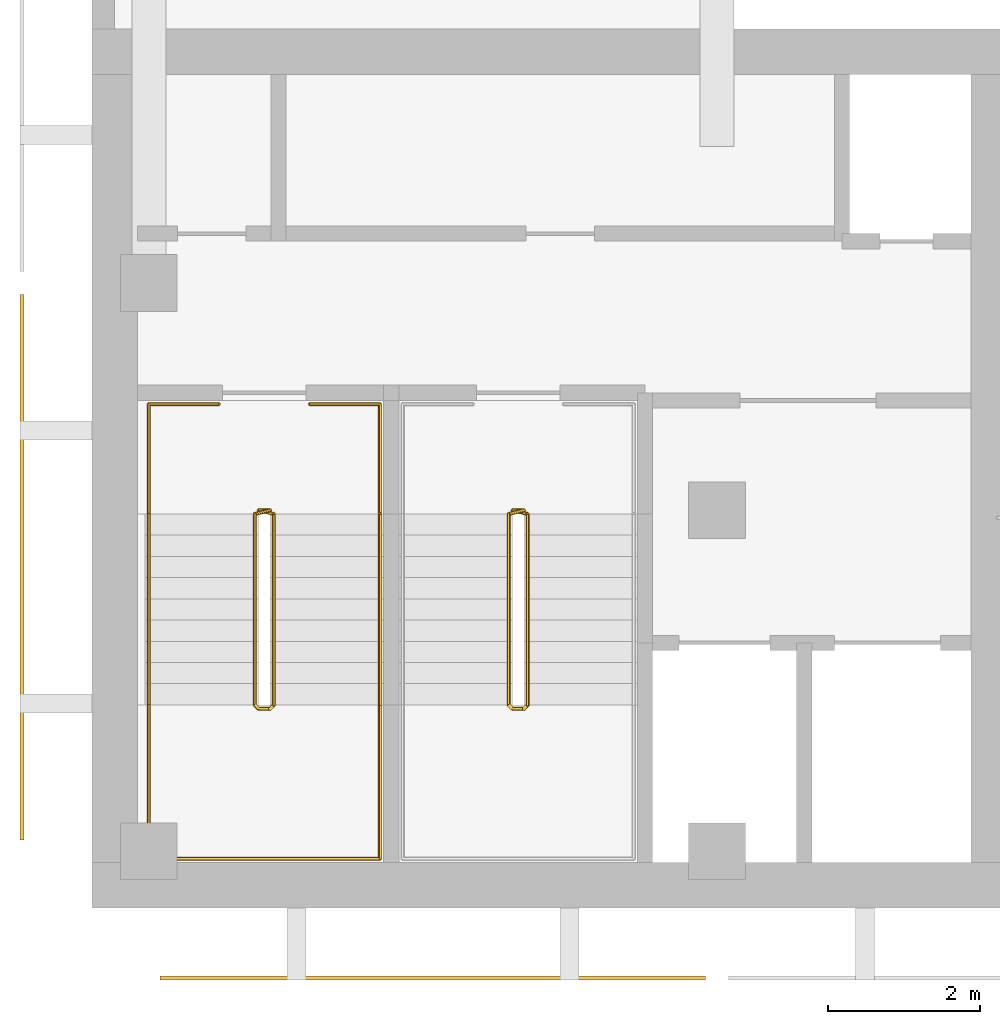
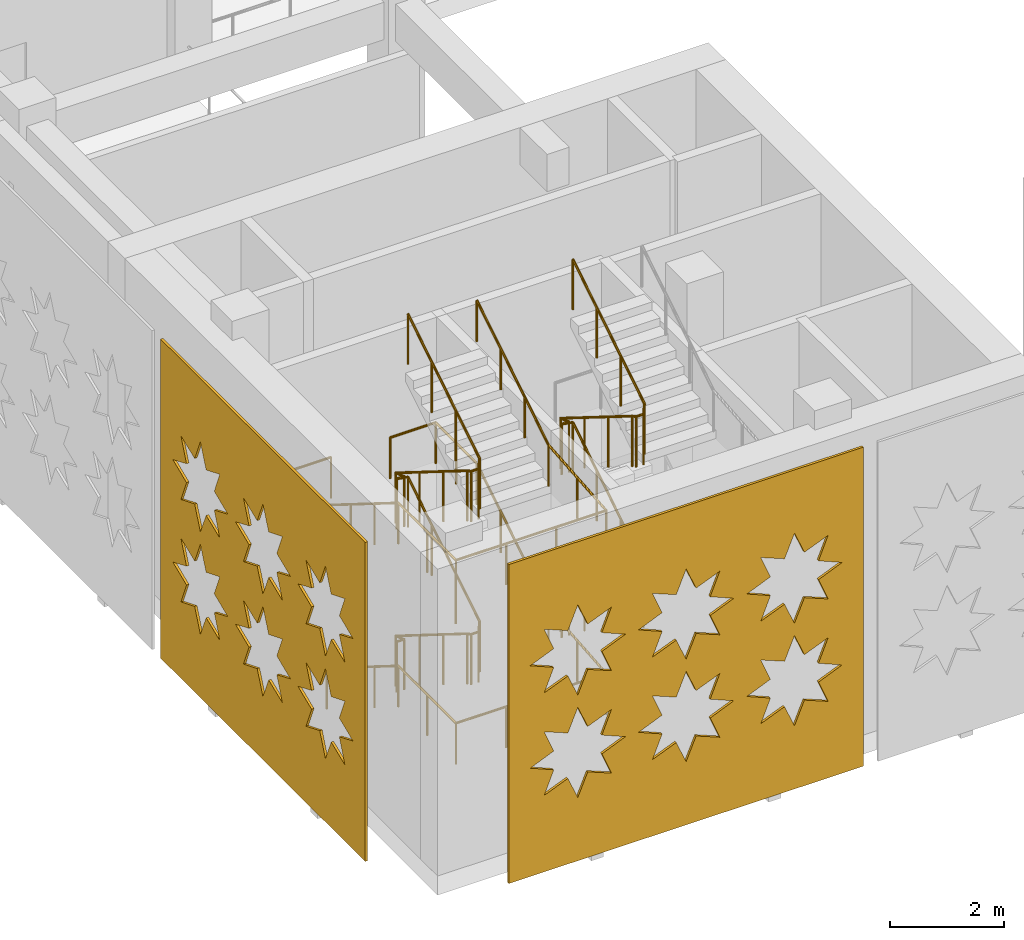
# One storey, part 29 of 42: 4 railings, 2 coverings.
"""IFC4 building model written with IfcOpenShell, lengths in metres."""

from ifc_helpers import new_model, si_unit, direction, frame, origin, origin_2d, place, context, subcontext, project, spatial, polyline, circle, outline, extrude, material, layer, layer_set, type_object, element, save


model = new_model("IFC4")

# Units and contexts
model_context = context("Model", 3, precision=1e-05, world=origin(), true_north=direction((0.0, 1.0)))
body_context = subcontext(model_context, "Body", "Model", "MODEL_VIEW")
ifc_project = project(units=[si_unit("LENGTHUNIT", "METRE"), si_unit("AREAUNIT", "SQUARE_METRE"), si_unit("VOLUMEUNIT", "CUBIC_METRE"), si_unit("PLANEANGLEUNIT", "RADIAN"), si_unit("MASSUNIT", "GRAM", prefix="KILO")], contexts=[model_context])

# Site, building, storey
site_placement = place(None, origin())
site = spatial("IfcSite", under=ifc_project, at=site_placement, CompositionType="ELEMENT")
building_placement = place(site_placement, origin())
building = spatial("IfcBuilding", under=site, at=building_placement, Name="Tessera Arch", CompositionType="ELEMENT")
storey_placement = place(building_placement, frame((0.0, 0.0, 14.0)))
storey = spatial("IfcBuildingStorey", under=building, at=storey_placement, Name="L02", CompositionType="ELEMENT", Elevation=14.0)

# Coverings
ifc_material_1 = material(Name="Anodised aluminium pale metal", Category="aluminium")
ifc_layer = layer(ifc_material_1, 0.050048828125)
ifc_layer_set = layer_set([ifc_layer], Name="Museum lattice skin panel")
covering_type = type_object("IfcCoveringType", Name="Museum lattice skin panel", PredefinedType="CLADDING", material=ifc_layer_set)
covering_1_placement = place(storey_placement, frame((-31.64990234375, -33.449951171875, 6.949951171875), z_axis=(0.0, 1.0, 0.0), x_axis=(1.0, 0.0, 0.0)))
element("IfcCovering", 1, at=covering_1_placement, inside=storey, type_object=covering_type, Name="Museum lattice skin L02 1-2", PredefinedType="CLADDING", context=body_context, shape_type="SweptSolid", body=[
    extrude(outline(polyline([(0.0, 0.0), (7.199951171875, 0.0), (7.199951171875, 6.849853515625), (0.0, 6.849853515625), (0.0, 0.0)]), holes=[polyline([(2.367919921875, 4.52490234375), (1.887939453125, 4.322998046875), (2.083984375, 3.841064453125), (1.601806640625, 4.036865234375), (1.39990234375, 3.556884765625), (1.197998046875, 4.036865234375), (0.7158203125, 3.841064453125), (0.911865234375, 4.322998046875), (0.431884765625, 4.52490234375), (0.911865234375, 4.72705078125), (0.7158203125, 5.208984375), (1.197998046875, 5.012939453125), (1.39990234375, 5.492919921875), (1.601806640625, 5.012939453125), (2.083984375, 5.208984375), (1.887939453125, 4.72705078125), (2.367919921875, 4.52490234375)]), polyline([(2.367919921875, 2.324951171875), (1.887939453125, 2.123046875), (2.083984375, 1.640869140625), (1.601806640625, 1.8369140625), (1.39990234375, 1.35693359375), (1.197998046875, 1.8369140625), (0.7158203125, 1.640869140625), (0.911865234375, 2.123046875), (0.431884765625, 2.324951171875), (0.911865234375, 2.52685546875), (0.7158203125, 3.009033203125), (1.197998046875, 2.81298828125), (1.39990234375, 3.29296875), (1.601806640625, 2.81298828125), (2.083984375, 3.009033203125), (1.887939453125, 2.52685546875), (2.367919921875, 2.324951171875)]), polyline([(4.56787109375, 4.52490234375), (4.087890625, 4.322998046875), (4.283935546875, 3.841064453125), (3.802001953125, 4.036865234375), (3.599853515625, 3.556884765625), (3.39794921875, 4.036865234375), (2.916015625, 3.841064453125), (3.11181640625, 4.322998046875), (2.6318359375, 4.52490234375), (3.11181640625, 4.72705078125), (2.916015625, 5.208984375), (3.39794921875, 5.012939453125), (3.599853515625, 5.492919921875), (3.802001953125, 5.012939453125), (4.283935546875, 5.208984375), (4.087890625, 4.72705078125), (4.56787109375, 4.52490234375)]), polyline([(4.56787109375, 2.324951171875), (4.087890625, 2.123046875), (4.283935546875, 1.640869140625), (3.802001953125, 1.8369140625), (3.599853515625, 1.35693359375), (3.39794921875, 1.8369140625), (2.916015625, 1.640869140625), (3.11181640625, 2.123046875), (2.6318359375, 2.324951171875), (3.11181640625, 2.52685546875), (2.916015625, 3.009033203125), (3.39794921875, 2.81298828125), (3.599853515625, 3.29296875), (3.802001953125, 2.81298828125), (4.283935546875, 3.009033203125), (4.087890625, 2.52685546875), (4.56787109375, 2.324951171875)]), polyline([(6.767822265625, 4.52490234375), (6.287841796875, 4.322998046875), (6.48388671875, 3.841064453125), (6.001953125, 4.036865234375), (5.7998046875, 3.556884765625), (5.597900390625, 4.036865234375), (5.115966796875, 3.841064453125), (5.31201171875, 4.322998046875), (4.831787109375, 4.52490234375), (5.31201171875, 4.72705078125), (5.115966796875, 5.208984375), (5.597900390625, 5.012939453125), (5.7998046875, 5.492919921875), (6.001953125, 5.012939453125), (6.48388671875, 5.208984375), (6.287841796875, 4.72705078125), (6.767822265625, 4.52490234375)]), polyline([(6.767822265625, 2.324951171875), (6.287841796875, 2.123046875), (6.48388671875, 1.640869140625), (6.001953125, 1.8369140625), (5.7998046875, 1.35693359375), (5.597900390625, 1.8369140625), (5.115966796875, 1.640869140625), (5.31201171875, 2.123046875), (4.831787109375, 2.324951171875), (5.31201171875, 2.52685546875), (5.115966796875, 3.009033203125), (5.597900390625, 2.81298828125), (5.7998046875, 3.29296875), (6.001953125, 2.81298828125), (6.48388671875, 3.009033203125), (6.287841796875, 2.52685546875), (6.767822265625, 2.324951171875)])]), origin(), (0.0, 0.0, -1.0), 0.050048828125),
])
covering_2_placement = place(storey_placement, frame((-33.449951171875, -24.449951171875, 6.949951171875), z_axis=(1.0, 0.0, 0.0), x_axis=(0.0, -1.0, 0.0)))
element("IfcCovering", 2, at=covering_2_placement, inside=storey, type_object=covering_type, Name="Museum lattice skin L02 6-13", PredefinedType="CLADDING", context=body_context, shape_type="SweptSolid", body=[
    extrude(outline(polyline([(0.0, 0.0), (7.199951171875, 0.0), (7.199951171875, 6.849853515625), (0.0, 6.849853515625), (0.0, 0.0)]), holes=[polyline([(2.3681640625, 4.52490234375), (1.887939453125, 4.322998046875), (2.083984375, 3.841064453125), (1.60205078125, 4.036865234375), (1.400146484375, 3.556884765625), (1.197998046875, 4.036865234375), (0.716064453125, 3.841064453125), (0.912109375, 4.322998046875), (0.43212890625, 4.52490234375), (0.912109375, 4.72705078125), (0.716064453125, 5.208984375), (1.197998046875, 5.012939453125), (1.400146484375, 5.492919921875), (1.60205078125, 5.012939453125), (2.083984375, 5.208984375), (1.887939453125, 4.72705078125), (2.3681640625, 4.52490234375)]), polyline([(2.3681640625, 2.324951171875), (1.887939453125, 2.123046875), (2.083984375, 1.640869140625), (1.60205078125, 1.8369140625), (1.400146484375, 1.35693359375), (1.197998046875, 1.8369140625), (0.716064453125, 1.640869140625), (0.912109375, 2.123046875), (0.43212890625, 2.324951171875), (0.912109375, 2.52685546875), (0.716064453125, 3.009033203125), (1.197998046875, 2.81298828125), (1.400146484375, 3.29296875), (1.60205078125, 2.81298828125), (2.083984375, 3.009033203125), (1.887939453125, 2.52685546875), (2.3681640625, 2.324951171875)]), polyline([(4.568115234375, 4.52490234375), (4.088134765625, 4.322998046875), (4.283935546875, 3.841064453125), (3.802001953125, 4.036865234375), (3.60009765625, 3.556884765625), (3.39794921875, 4.036865234375), (2.916015625, 3.841064453125), (3.112060546875, 4.322998046875), (2.632080078125, 4.52490234375), (3.112060546875, 4.72705078125), (2.916015625, 5.208984375), (3.39794921875, 5.012939453125), (3.60009765625, 5.492919921875), (3.802001953125, 5.012939453125), (4.283935546875, 5.208984375), (4.088134765625, 4.72705078125), (4.568115234375, 4.52490234375)]), polyline([(4.568115234375, 2.324951171875), (4.088134765625, 2.123046875), (4.283935546875, 1.640869140625), (3.802001953125, 1.8369140625), (3.60009765625, 1.35693359375), (3.39794921875, 1.8369140625), (2.916015625, 1.640869140625), (3.112060546875, 2.123046875), (2.632080078125, 2.324951171875), (3.112060546875, 2.52685546875), (2.916015625, 3.009033203125), (3.39794921875, 2.81298828125), (3.60009765625, 3.29296875), (3.802001953125, 2.81298828125), (4.283935546875, 3.009033203125), (4.088134765625, 2.52685546875), (4.568115234375, 2.324951171875)]), polyline([(6.76806640625, 4.52490234375), (6.2880859375, 4.322998046875), (6.484130859375, 3.841064453125), (6.001953125, 4.036865234375), (5.800048828125, 3.556884765625), (5.59814453125, 4.036865234375), (5.115966796875, 3.841064453125), (5.31201171875, 4.322998046875), (4.83203125, 4.52490234375), (5.31201171875, 4.72705078125), (5.115966796875, 5.208984375), (5.59814453125, 5.012939453125), (5.800048828125, 5.492919921875), (6.001953125, 5.012939453125), (6.484130859375, 5.208984375), (6.2880859375, 4.72705078125), (6.76806640625, 4.52490234375)]), polyline([(6.76806640625, 2.324951171875), (6.2880859375, 2.123046875), (6.484130859375, 1.640869140625), (6.001953125, 1.8369140625), (5.800048828125, 1.35693359375), (5.59814453125, 1.8369140625), (5.115966796875, 1.640869140625), (5.31201171875, 2.123046875), (4.83203125, 2.324951171875), (5.31201171875, 2.52685546875), (5.115966796875, 3.009033203125), (5.59814453125, 2.81298828125), (5.800048828125, 3.29296875), (6.001953125, 2.81298828125), (6.484130859375, 3.009033203125), (6.2880859375, 2.52685546875), (6.76806640625, 2.324951171875)])]), origin(), (0.0, 0.0, -1.0), 0.050048828125),
])

# Railings
ifc_material_2 = material(Name="Painted steel balustrade", Category="steel")
railing_type_1 = type_object("IfcRailingType", Name="Stair guard 1100", PredefinedType="GUARDRAIL", material=ifc_material_2)
railing_1_placement = place(storey_placement, frame((-30.35009765625, -27.300048828125, 0.0)))
element("IfcRailing", 3, at=railing_1_placement, inside=storey, type_object=railing_type_1, Name="L02 M2a stair guard 1", PredefinedType="GUARDRAIL", context=body_context, shape_type="SweptSolid", body=[
    extrude(circle(Radius=0.02392578125, at=origin_2d()), frame((-0.00390625, 0.0, 1.076171875), z_axis=(1.0, 0.0, 0.0), x_axis=(0.0, 1.0, 0.0)), (0.0, 0.0, 1.0), 0.158203125),
    extrude(circle(Radius=0.02392578125, at=origin_2d()), frame((0.153076171875, 0.000732421875, 1.073486328125), z_axis=(-0.739407315901, -0.185077533284, 0.647319957877), x_axis=(0.242814311512, -0.970072785993, 0.0)), (0.0, 0.0, 1.0), 0.2783203125),
    extrude(circle(Radius=0.02392578125, at=origin_2d()), frame((-0.0498046875, -0.046630859375, 1.2490234375), z_axis=(0.0, -0.848007534815, 0.529984170421), x_axis=(1.0, 0.0, 0.0)), (0.0, 0.0, 1.0), 2.979736328125),
    extrude(circle(Radius=0.02392578125, at=origin_2d()), frame((-0.052734375, -2.567138671875, 2.826171875), z_axis=(0.707106781187, -0.707106781187, 0.0), x_axis=(0.707106781187, 0.707106781187, 0.0)), (0.0, 0.0, 1.0), 0.078369140625),
    extrude(circle(Radius=0.02392578125, at=origin_2d()), frame((-0.00390625, -2.619873046875, 2.826171875), z_axis=(1.0, 0.0, 0.0), x_axis=(0.0, 1.0, 0.0)), (0.0, 0.0, 1.0), 0.158203125),
    extrude(circle(Radius=0.02392578125, at=origin_2d()), frame((0.149169921875, -2.620849609375, 2.822265625), z_axis=(0.265155923931, 0.263862480399, 0.927399011991), x_axis=(-0.705375805398, 0.708833529934, 0.0)), (0.0, 0.0, 1.0), 0.19677734375),
    extrude(circle(Radius=0.02392578125, at=origin_2d()), frame((0.2001953125, -2.573486328125, 2.9990234375), z_axis=(0.0, 0.848007534815, 0.529984170421), x_axis=(-1.0, 0.0, 0.0)), (0.0, 0.0, 1.0), 2.979736328125),
    extrude(circle(Radius=0.02392578125, at=origin_2d()), frame((0.2041015625, -0.051025390625, 4.576171875), z_axis=(-0.970142500145, 0.242535625036, 0.0), x_axis=(-0.242535625036, -0.970142500145, 0.0)), (0.0, 0.0, 1.0), 0.21435546875),
    extrude(circle(Radius=0.02392578125, at=origin_2d()), frame((-0.00390625, 0.0, 4.576171875), z_axis=(1.0, 0.0, 0.0), x_axis=(0.0, 1.0, 0.0)), (0.0, 0.0, 1.0), 0.158203125),
    extrude(circle(Radius=0.02392578125, at=origin_2d()), frame((0.153076171875, 0.000732421875, 4.573486328125), z_axis=(-0.739407315901, -0.185077533284, 0.647319957877), x_axis=(0.242814311512, -0.970072785993, 0.0)), (0.0, 0.0, 1.0), 0.2783203125),
    extrude(circle(Radius=0.02392578125, at=origin_2d()), frame((-0.0498046875, -0.046630859375, 4.7490234375), z_axis=(0.0, -0.848007534815, 0.529984170421), x_axis=(1.0, 0.0, 0.0)), (0.0, 0.0, 1.0), 2.979736328125),
    extrude(circle(Radius=0.02392578125, at=origin_2d()), frame((-0.052734375, -2.567138671875, 6.326171875), z_axis=(0.707106781187, -0.707106781187, 0.0), x_axis=(0.707106781187, 0.707106781187, 0.0)), (0.0, 0.0, 1.0), 0.078369140625),
    extrude(circle(Radius=0.02392578125, at=origin_2d()), frame((-0.00390625, -2.619873046875, 6.326171875), z_axis=(1.0, 0.0, 0.0), x_axis=(0.0, 1.0, 0.0)), (0.0, 0.0, 1.0), 0.158203125),
    extrude(circle(Radius=0.02392578125, at=origin_2d()), frame((0.149169921875, -2.620849609375, 6.322265625), z_axis=(0.265155923931, 0.263862480399, 0.927399011991), x_axis=(-0.705375805398, 0.708833529934, 0.0)), (0.0, 0.0, 1.0), 0.19677734375),
    extrude(circle(Radius=0.02392578125, at=origin_2d()), frame((0.2001953125, -2.573486328125, 6.4990234375), z_axis=(0.0, 0.848007534815, 0.529984170421), x_axis=(-1.0, 0.0, 0.0)), (0.0, 0.0, 1.0), 2.979736328125),
    extrude(circle(Radius=0.02099609375, at=origin_2d()), origin(), (0.0, 0.0, 1.0), 1.06396484375),
    extrude(circle(Radius=0.02099609375, at=origin_2d()), frame((0.150146484375, 0.0, 0.0)), (0.0, 0.0, 1.0), 1.06396484375),
    extrude(circle(Radius=0.02099609375, at=origin_2d()), frame((-0.0498046875, -0.050048828125, 0.175048828125)), (0.0, 0.0, 1.0), 1.06396484375),
    extrude(circle(Radius=0.02099609375, at=origin_2d()), frame((-0.0498046875, -0.89013671875, 0.699951171875)), (0.0, 0.0, 1.0), 1.06396484375),
    extrude(circle(Radius=0.02099609375, at=origin_2d()), frame((-0.0498046875, -1.72998046875, 1.22509765625)), (0.0, 0.0, 1.0), 1.06396484375),
    extrude(circle(Radius=0.02099609375, at=origin_2d()), frame((-0.0498046875, -2.570068359375, 1.75)), (0.0, 0.0, 1.0), 1.06396484375),
    extrude(circle(Radius=0.02099609375, at=origin_2d()), frame((0.0, -2.619873046875, 1.75)), (0.0, 0.0, 1.0), 1.06396484375),
    extrude(circle(Radius=0.02099609375, at=origin_2d()), frame((0.150146484375, -2.619873046875, 1.75)), (0.0, 0.0, 1.0), 1.06396484375),
    extrude(circle(Radius=0.02099609375, at=origin_2d()), frame((0.2001953125, -2.570068359375, 1.925048828125)), (0.0, 0.0, 1.0), 1.06396484375),
    extrude(circle(Radius=0.02099609375, at=origin_2d()), frame((0.2001953125, -1.72998046875, 2.449951171875)), (0.0, 0.0, 1.0), 1.06396484375),
    extrude(circle(Radius=0.02099609375, at=origin_2d()), frame((0.2001953125, -0.89013671875, 2.97509765625)), (0.0, 0.0, 1.0), 1.06396484375),
    extrude(circle(Radius=0.02099609375, at=origin_2d()), frame((0.2001953125, -0.050048828125, 3.5)), (0.0, 0.0, 1.0), 1.06396484375),
    extrude(circle(Radius=0.02099609375, at=origin_2d()), frame((0.0, 0.0, 3.5)), (0.0, 0.0, 1.0), 1.06396484375),
    extrude(circle(Radius=0.02099609375, at=origin_2d()), frame((0.150146484375, 0.0, 3.5)), (0.0, 0.0, 1.0), 1.06396484375),
    extrude(circle(Radius=0.02099609375, at=origin_2d()), frame((-0.0498046875, -0.050048828125, 3.675048828125)), (0.0, 0.0, 1.0), 1.06396484375),
    extrude(circle(Radius=0.02099609375, at=origin_2d()), frame((-0.0498046875, -0.89013671875, 4.199951171875)), (0.0, 0.0, 1.0), 1.06396484375),
    extrude(circle(Radius=0.02099609375, at=origin_2d()), frame((-0.0498046875, -1.72998046875, 4.72509765625)), (0.0, 0.0, 1.0), 1.06396484375),
    extrude(circle(Radius=0.02099609375, at=origin_2d()), frame((-0.0498046875, -2.570068359375, 5.25)), (0.0, 0.0, 1.0), 1.06396484375),
    extrude(circle(Radius=0.02099609375, at=origin_2d()), frame((0.0, -2.619873046875, 5.25)), (0.0, 0.0, 1.0), 1.06396484375),
    extrude(circle(Radius=0.02099609375, at=origin_2d()), frame((0.150146484375, -2.619873046875, 5.25)), (0.0, 0.0, 1.0), 1.06396484375),
    extrude(circle(Radius=0.02099609375, at=origin_2d()), frame((0.2001953125, -2.570068359375, 5.425048828125)), (0.0, 0.0, 1.0), 1.06396484375),
    extrude(circle(Radius=0.02099609375, at=origin_2d()), frame((0.2001953125, -1.72998046875, 5.949951171875)), (0.0, 0.0, 1.0), 1.06396484375),
    extrude(circle(Radius=0.02099609375, at=origin_2d()), frame((0.2001953125, -0.89013671875, 6.47509765625)), (0.0, 0.0, 1.0), 1.06396484375),
    extrude(circle(Radius=0.02099609375, at=origin_2d()), frame((0.2001953125, -0.050048828125, 7.0)), (0.0, 0.0, 1.0), 1.06396484375),
])
railing_2_placement = place(storey_placement, frame((-27.0, -27.300048828125, 0.0)))
element("IfcRailing", 4, at=railing_2_placement, inside=storey, type_object=railing_type_1, Name="L02 M2b stair guard 1", PredefinedType="GUARDRAIL", context=body_context, shape_type="SweptSolid", body=[
    extrude(circle(Radius=0.02392578125, at=origin_2d()), frame((-0.00390625, 0.0, 1.076171875), z_axis=(1.0, 0.0, 0.0), x_axis=(0.0, 1.0, 0.0)), (0.0, 0.0, 1.0), 0.157958984375),
    extrude(circle(Radius=0.02392578125, at=origin_2d()), frame((0.15283203125, 0.000732421875, 1.073486328125), z_axis=(-0.739407315901, -0.185077533284, 0.647319957877), x_axis=(0.242814311512, -0.970072785993, 0.0)), (0.0, 0.0, 1.0), 0.2783203125),
    extrude(circle(Radius=0.02392578125, at=origin_2d()), frame((-0.050048828125, -0.046630859375, 1.2490234375), z_axis=(0.0, -0.848007534815, 0.529984170421), x_axis=(1.0, 0.0, 0.0)), (0.0, 0.0, 1.0), 2.979736328125),
    extrude(circle(Radius=0.02392578125, at=origin_2d()), frame((-0.052978515625, -2.567138671875, 2.826171875), z_axis=(0.708833529934, -0.705375805398, 0.0), x_axis=(0.705375805398, 0.708833529934, 0.0)), (0.0, 0.0, 1.0), 0.07861328125),
    extrude(circle(Radius=0.02392578125, at=origin_2d()), frame((-0.00390625, -2.619873046875, 2.826171875), z_axis=(1.0, 0.0, 0.0), x_axis=(0.0, 1.0, 0.0)), (0.0, 0.0, 1.0), 0.157958984375),
    extrude(circle(Radius=0.02392578125, at=origin_2d()), frame((0.14892578125, -2.620849609375, 2.822265625), z_axis=(0.265155923931, 0.263862480399, 0.927399011991), x_axis=(-0.705375805398, 0.708833529934, 0.0)), (0.0, 0.0, 1.0), 0.19677734375),
    extrude(circle(Radius=0.02392578125, at=origin_2d()), frame((0.199951171875, -2.573486328125, 2.9990234375), z_axis=(0.0, 0.848007534815, 0.529984170421), x_axis=(-1.0, 0.0, 0.0)), (0.0, 0.0, 1.0), 2.979736328125),
    extrude(circle(Radius=0.02392578125, at=origin_2d()), frame((0.203857421875, -0.051025390625, 4.576171875), z_axis=(-0.970072785993, 0.242814311512, 0.0), x_axis=(-0.242814311512, -0.970072785993, 0.0)), (0.0, 0.0, 1.0), 0.214111328125),
    extrude(circle(Radius=0.02392578125, at=origin_2d()), frame((-0.00390625, 0.0, 4.576171875), z_axis=(1.0, 0.0, 0.0), x_axis=(0.0, 1.0, 0.0)), (0.0, 0.0, 1.0), 0.157958984375),
    extrude(circle(Radius=0.02392578125, at=origin_2d()), frame((0.15283203125, 0.000732421875, 4.573486328125), z_axis=(-0.739407315901, -0.185077533284, 0.647319957877), x_axis=(0.242814311512, -0.970072785993, 0.0)), (0.0, 0.0, 1.0), 0.2783203125),
    extrude(circle(Radius=0.02392578125, at=origin_2d()), frame((-0.050048828125, -0.046630859375, 4.7490234375), z_axis=(0.0, -0.848007534815, 0.529984170421), x_axis=(1.0, 0.0, 0.0)), (0.0, 0.0, 1.0), 2.979736328125),
    extrude(circle(Radius=0.02392578125, at=origin_2d()), frame((-0.052978515625, -2.567138671875, 6.326171875), z_axis=(0.708833529934, -0.705375805398, 0.0), x_axis=(0.705375805398, 0.708833529934, 0.0)), (0.0, 0.0, 1.0), 0.07861328125),
    extrude(circle(Radius=0.02392578125, at=origin_2d()), frame((-0.00390625, -2.619873046875, 6.326171875), z_axis=(1.0, 0.0, 0.0), x_axis=(0.0, 1.0, 0.0)), (0.0, 0.0, 1.0), 0.157958984375),
    extrude(circle(Radius=0.02392578125, at=origin_2d()), frame((0.14892578125, -2.620849609375, 6.322265625), z_axis=(0.265155923931, 0.263862480399, 0.927399011991), x_axis=(-0.705375805398, 0.708833529934, 0.0)), (0.0, 0.0, 1.0), 0.19677734375),
    extrude(circle(Radius=0.02392578125, at=origin_2d()), frame((0.199951171875, -2.573486328125, 6.4990234375), z_axis=(0.0, 0.848007534815, 0.529984170421), x_axis=(-1.0, 0.0, 0.0)), (0.0, 0.0, 1.0), 2.979736328125),
    extrude(circle(Radius=0.02099609375, at=origin_2d()), origin(), (0.0, 0.0, 1.0), 1.06396484375),
    extrude(circle(Radius=0.02099609375, at=origin_2d()), frame((0.14990234375, 0.0, 0.0)), (0.0, 0.0, 1.0), 1.06396484375),
    extrude(circle(Radius=0.02099609375, at=origin_2d()), frame((-0.050048828125, -0.050048828125, 0.175048828125)), (0.0, 0.0, 1.0), 1.06396484375),
    extrude(circle(Radius=0.02099609375, at=origin_2d()), frame((-0.050048828125, -0.89013671875, 0.699951171875)), (0.0, 0.0, 1.0), 1.06396484375),
    extrude(circle(Radius=0.02099609375, at=origin_2d()), frame((-0.050048828125, -1.72998046875, 1.22509765625)), (0.0, 0.0, 1.0), 1.06396484375),
    extrude(circle(Radius=0.02099609375, at=origin_2d()), frame((-0.050048828125, -2.570068359375, 1.75)), (0.0, 0.0, 1.0), 1.06396484375),
    extrude(circle(Radius=0.02099609375, at=origin_2d()), frame((0.0, -2.619873046875, 1.75)), (0.0, 0.0, 1.0), 1.06396484375),
    extrude(circle(Radius=0.02099609375, at=origin_2d()), frame((0.14990234375, -2.619873046875, 1.75)), (0.0, 0.0, 1.0), 1.06396484375),
    extrude(circle(Radius=0.02099609375, at=origin_2d()), frame((0.199951171875, -2.570068359375, 1.925048828125)), (0.0, 0.0, 1.0), 1.06396484375),
    extrude(circle(Radius=0.02099609375, at=origin_2d()), frame((0.199951171875, -1.72998046875, 2.449951171875)), (0.0, 0.0, 1.0), 1.06396484375),
    extrude(circle(Radius=0.02099609375, at=origin_2d()), frame((0.199951171875, -0.89013671875, 2.97509765625)), (0.0, 0.0, 1.0), 1.06396484375),
    extrude(circle(Radius=0.02099609375, at=origin_2d()), frame((0.199951171875, -0.050048828125, 3.5)), (0.0, 0.0, 1.0), 1.06396484375),
    extrude(circle(Radius=0.02099609375, at=origin_2d()), frame((0.0, 0.0, 3.5)), (0.0, 0.0, 1.0), 1.06396484375),
    extrude(circle(Radius=0.02099609375, at=origin_2d()), frame((0.14990234375, 0.0, 3.5)), (0.0, 0.0, 1.0), 1.06396484375),
    extrude(circle(Radius=0.02099609375, at=origin_2d()), frame((-0.050048828125, -0.050048828125, 3.675048828125)), (0.0, 0.0, 1.0), 1.06396484375),
    extrude(circle(Radius=0.02099609375, at=origin_2d()), frame((-0.050048828125, -0.89013671875, 4.199951171875)), (0.0, 0.0, 1.0), 1.06396484375),
    extrude(circle(Radius=0.02099609375, at=origin_2d()), frame((-0.050048828125, -1.72998046875, 4.72509765625)), (0.0, 0.0, 1.0), 1.06396484375),
    extrude(circle(Radius=0.02099609375, at=origin_2d()), frame((-0.050048828125, -2.570068359375, 5.25)), (0.0, 0.0, 1.0), 1.06396484375),
    extrude(circle(Radius=0.02099609375, at=origin_2d()), frame((0.0, -2.619873046875, 5.25)), (0.0, 0.0, 1.0), 1.06396484375),
    extrude(circle(Radius=0.02099609375, at=origin_2d()), frame((0.14990234375, -2.619873046875, 5.25)), (0.0, 0.0, 1.0), 1.06396484375),
    extrude(circle(Radius=0.02099609375, at=origin_2d()), frame((0.199951171875, -2.570068359375, 5.425048828125)), (0.0, 0.0, 1.0), 1.06396484375),
    extrude(circle(Radius=0.02099609375, at=origin_2d()), frame((0.199951171875, -1.72998046875, 5.949951171875)), (0.0, 0.0, 1.0), 1.06396484375),
    extrude(circle(Radius=0.02099609375, at=origin_2d()), frame((0.199951171875, -0.89013671875, 6.47509765625)), (0.0, 0.0, 1.0), 1.06396484375),
    extrude(circle(Radius=0.02099609375, at=origin_2d()), frame((0.199951171875, -0.050048828125, 7.0)), (0.0, 0.0, 1.0), 1.06396484375),
])
ifc_material_3 = material(Name="Painted steel handrail", Category="steel")
railing_type_2 = type_object("IfcRailingType", Name="Stair handrail 900", PredefinedType="HANDRAIL", material=ifc_material_3)
railing_3_placement = place(storey_placement, frame((-31.800048828125, -27.35009765625, 0.175048828125)))
element("IfcRailing", 5, at=railing_3_placement, inside=storey, type_object=railing_type_2, Name="L02 M2a stair handrail", PredefinedType="HANDRAIL", context=body_context, shape_type="SweptSolid", body=[
    extrude(circle(Radius=0.02392578125, at=origin_2d()), frame((0.0, 0.00341796875, 0.873779296875), z_axis=(0.0, -0.848007534815, 0.529984170421), x_axis=(1.0, 0.0, 0.0)), (0.0, 0.0, 1.0), 2.979736328125),
    extrude(circle(Radius=0.02392578125, at=origin_2d()), frame((0.0, -2.51611328125, 2.45068359375), z_axis=(0.0, -1.0, 0.0), x_axis=(1.0, 0.0, 0.0)), (0.0, 0.0, 1.0), 2.037841796875),
    extrude(circle(Radius=0.02392578125, at=origin_2d()), frame((-0.00390625, -4.5498046875, 2.45068359375), z_axis=(1.0, 0.0, 0.0), x_axis=(0.0, 1.0, 0.0)), (0.0, 0.0, 1.0), 3.05810546875),
    extrude(circle(Radius=0.02392578125, at=origin_2d()), frame((3.050048828125, -4.5537109375, 2.450439453125), z_axis=(0.0, 0.996301939653, 0.08592115597), x_axis=(-1.0, 0.0, 0.0)), (0.0, 0.0, 1.0), 2.04541015625),
    extrude(circle(Radius=0.02392578125, at=origin_2d()), frame((3.050048828125, -2.5234375, 2.623779296875), z_axis=(0.0, 0.848007534815, 0.529984170421), x_axis=(-1.0, 0.0, 0.0)), (0.0, 0.0, 1.0), 2.979736328125),
    extrude(circle(Radius=0.02392578125, at=origin_2d()), frame((3.050048828125, -0.00390625, 4.20068359375), z_axis=(0.0, 1.0, 0.0), x_axis=(-1.0, 0.0, 0.0)), (0.0, 0.0, 1.0), 1.458251953125),
    extrude(circle(Radius=0.02392578125, at=origin_2d()), frame((3.053955078125, 1.4501953125, 4.20068359375), z_axis=(-1.0, 0.0, 0.0), x_axis=(0.0, -1.0, 0.0)), (0.0, 0.0, 1.0), 0.93310546875),
    extrude(circle(Radius=0.02099609375, at=origin_2d()), origin(), (0.0, 0.0, 1.0), 0.86376953125),
    extrude(circle(Radius=0.02099609375, at=origin_2d()), frame((0.0, -0.840087890625, 0.52490234375)), (0.0, 0.0, 1.0), 0.86376953125),
    extrude(circle(Radius=0.02099609375, at=origin_2d()), frame((0.0, -1.679931640625, 1.050048828125)), (0.0, 0.0, 1.0), 0.86376953125),
    extrude(circle(Radius=0.02099609375, at=origin_2d()), frame((0.0, -2.52001953125, 1.574951171875)), (0.0, 0.0, 1.0), 0.86376953125),
    extrude(circle(Radius=0.02099609375, at=origin_2d()), frame((0.0, -3.534912109375, 1.574951171875)), (0.0, 0.0, 1.0), 0.86376953125),
    extrude(circle(Radius=0.02099609375, at=origin_2d()), frame((0.0, -4.5498046875, 1.574951171875)), (0.0, 0.0, 1.0), 0.86376953125),
    extrude(circle(Radius=0.02099609375, at=origin_2d()), frame((1.0166015625, -4.5498046875, 1.574951171875)), (0.0, 0.0, 1.0), 0.86376953125),
    extrude(circle(Radius=0.02099609375, at=origin_2d()), frame((2.033447265625, -4.5498046875, 1.574951171875)), (0.0, 0.0, 1.0), 0.86376953125),
    extrude(circle(Radius=0.02099609375, at=origin_2d()), frame((3.050048828125, -4.5498046875, 1.574951171875)), (0.0, 0.0, 1.0), 0.86376953125),
    extrude(circle(Radius=0.02099609375, at=origin_2d()), frame((3.050048828125, -3.534912109375, 1.66259765625)), (0.0, 0.0, 1.0), 0.86376953125),
    extrude(circle(Radius=0.02099609375, at=origin_2d()), frame((3.050048828125, -2.52001953125, 1.75)), (0.0, 0.0, 1.0), 0.86376953125),
    extrude(circle(Radius=0.02099609375, at=origin_2d()), frame((3.050048828125, -1.679931640625, 2.27490234375)), (0.0, 0.0, 1.0), 0.86376953125),
    extrude(circle(Radius=0.02099609375, at=origin_2d()), frame((3.050048828125, -0.840087890625, 2.800048828125)), (0.0, 0.0, 1.0), 0.86376953125),
    extrude(circle(Radius=0.02099609375, at=origin_2d()), frame((3.050048828125, 0.0, 3.324951171875)), (0.0, 0.0, 1.0), 0.86376953125),
    extrude(circle(Radius=0.02099609375, at=origin_2d()), frame((3.050048828125, 0.72509765625, 3.324951171875)), (0.0, 0.0, 1.0), 0.86376953125),
    extrude(circle(Radius=0.02099609375, at=origin_2d()), frame((3.050048828125, 1.4501953125, 3.324951171875)), (0.0, 0.0, 1.0), 0.86376953125),
    extrude(circle(Radius=0.02099609375, at=origin_2d()), frame((2.125, 1.4501953125, 3.324951171875)), (0.0, 0.0, 1.0), 0.86376953125),
])
railing_4_placement = place(storey_placement, frame((-30.875, -25.89990234375, 3.5)))
element("IfcRailing", 6, at=railing_4_placement, inside=storey, type_object=railing_type_2, Name="L02 M2a stair handrail 2", PredefinedType="HANDRAIL", context=body_context, shape_type="SweptSolid", body=[
    extrude(circle(Radius=0.02392578125, at=origin_2d()), frame((0.00390625, 0.0, 0.8759765625), z_axis=(-1.0, 0.0, 0.0), x_axis=(0.0, -1.0, 0.0)), (0.0, 0.0, 1.0), 0.93310546875),
    extrude(circle(Radius=0.02392578125, at=origin_2d()), frame((-0.925048828125, 0.00390625, 0.87548828125), z_axis=(0.0, -0.992793556095, 0.119837201973), x_axis=(1.0, 0.0, 0.0)), (0.0, 0.0, 1.0), 1.46875),
    extrude(circle(Radius=0.02392578125, at=origin_2d()), frame((-0.925048828125, -1.44677734375, 1.048828125), z_axis=(0.0, -0.848007534815, 0.529984170421), x_axis=(1.0, 0.0, 0.0)), (0.0, 0.0, 1.0), 2.979736328125),
    extrude(circle(Radius=0.02392578125, at=origin_2d()), frame((-0.925048828125, -3.96630859375, 2.6259765625), z_axis=(0.0, -1.0, 0.0), x_axis=(1.0, 0.0, 0.0)), (0.0, 0.0, 1.0), 2.037841796875),
    extrude(circle(Radius=0.02392578125, at=origin_2d()), frame((-0.928955078125, -6.0, 2.6259765625), z_axis=(1.0, 0.0, 0.0), x_axis=(0.0, 1.0, 0.0)), (0.0, 0.0, 1.0), 3.05810546875),
    extrude(circle(Radius=0.02392578125, at=origin_2d()), frame((2.125, -6.00390625, 2.62548828125), z_axis=(0.0, 0.996301939653, 0.08592115597), x_axis=(-1.0, 0.0, 0.0)), (0.0, 0.0, 1.0), 2.04541015625),
    extrude(circle(Radius=0.02392578125, at=origin_2d()), frame((2.125, -3.9736328125, 2.798828125), z_axis=(0.0, 0.848007534815, 0.529984170421), x_axis=(-1.0, 0.0, 0.0)), (0.0, 0.0, 1.0), 2.979736328125),
    extrude(circle(Radius=0.02099609375, at=origin_2d()), origin(), (0.0, 0.0, 1.0), 0.86376953125),
    extrude(circle(Radius=0.02099609375, at=origin_2d()), frame((-0.925048828125, 0.0, 0.0)), (0.0, 0.0, 1.0), 0.86376953125),
    extrude(circle(Radius=0.02099609375, at=origin_2d()), frame((-0.925048828125, -0.72509765625, 0.08740234375)), (0.0, 0.0, 1.0), 0.86376953125),
    extrude(circle(Radius=0.02099609375, at=origin_2d()), frame((-0.925048828125, -1.4501953125, 0.175048828125)), (0.0, 0.0, 1.0), 0.86376953125),
    extrude(circle(Radius=0.02099609375, at=origin_2d()), frame((-0.925048828125, -2.290283203125, 0.699951171875)), (0.0, 0.0, 1.0), 0.86376953125),
    extrude(circle(Radius=0.02099609375, at=origin_2d()), frame((-0.925048828125, -3.130126953125, 1.22509765625)), (0.0, 0.0, 1.0), 0.86376953125),
    extrude(circle(Radius=0.02099609375, at=origin_2d()), frame((-0.925048828125, -3.97021484375, 1.75)), (0.0, 0.0, 1.0), 0.86376953125),
    extrude(circle(Radius=0.02099609375, at=origin_2d()), frame((-0.925048828125, -4.985107421875, 1.75)), (0.0, 0.0, 1.0), 0.86376953125),
    extrude(circle(Radius=0.02099609375, at=origin_2d()), frame((-0.925048828125, -6.0, 1.75)), (0.0, 0.0, 1.0), 0.86376953125),
    extrude(circle(Radius=0.02099609375, at=origin_2d()), frame((0.091552734375, -6.0, 1.75)), (0.0, 0.0, 1.0), 0.86376953125),
    extrude(circle(Radius=0.02099609375, at=origin_2d()), frame((1.1083984375, -6.0, 1.75)), (0.0, 0.0, 1.0), 0.86376953125),
    extrude(circle(Radius=0.02099609375, at=origin_2d()), frame((2.125, -6.0, 1.75)), (0.0, 0.0, 1.0), 0.86376953125),
    extrude(circle(Radius=0.02099609375, at=origin_2d()), frame((2.125, -4.985107421875, 1.83740234375)), (0.0, 0.0, 1.0), 0.86376953125),
    extrude(circle(Radius=0.02099609375, at=origin_2d()), frame((2.125, -3.97021484375, 1.925048828125)), (0.0, 0.0, 1.0), 0.86376953125),
    extrude(circle(Radius=0.02099609375, at=origin_2d()), frame((2.125, -3.130126953125, 2.449951171875)), (0.0, 0.0, 1.0), 0.86376953125),
    extrude(circle(Radius=0.02099609375, at=origin_2d()), frame((2.125, -2.290283203125, 2.97509765625)), (0.0, 0.0, 1.0), 0.86376953125),
    extrude(circle(Radius=0.02099609375, at=origin_2d()), frame((2.125, -1.4501953125, 3.5)), (0.0, 0.0, 1.0), 0.86376953125),
])

save(model, "model.ifc")
